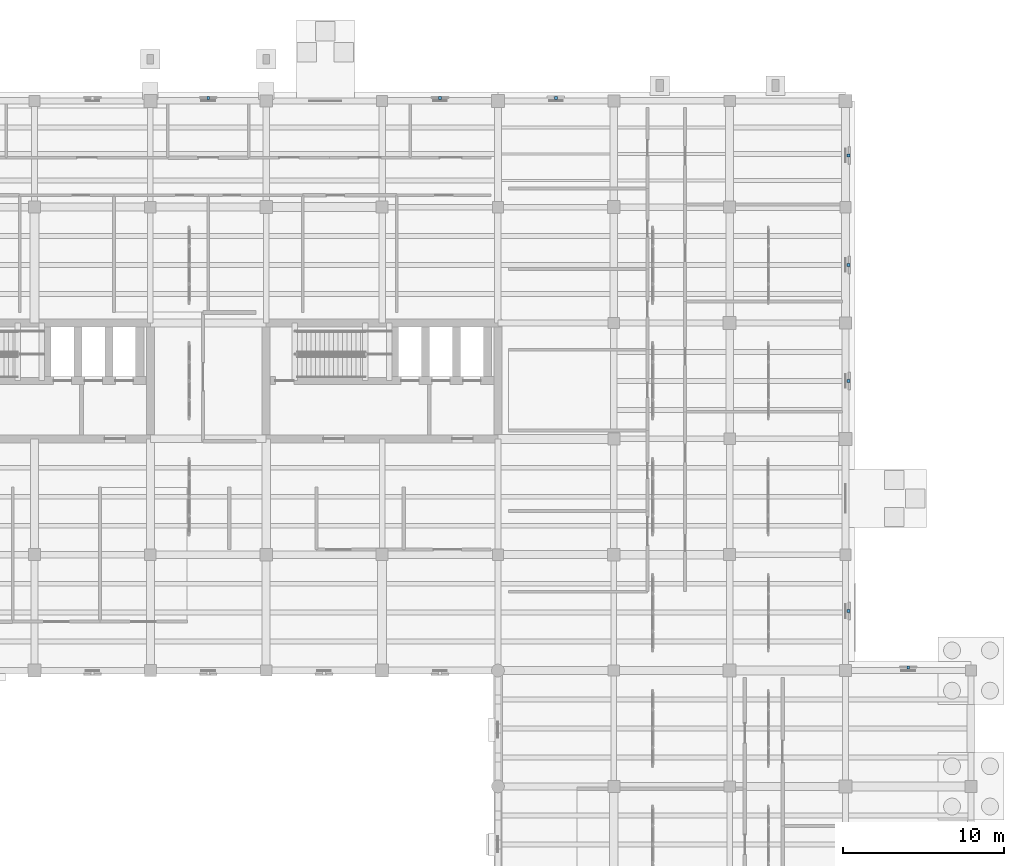
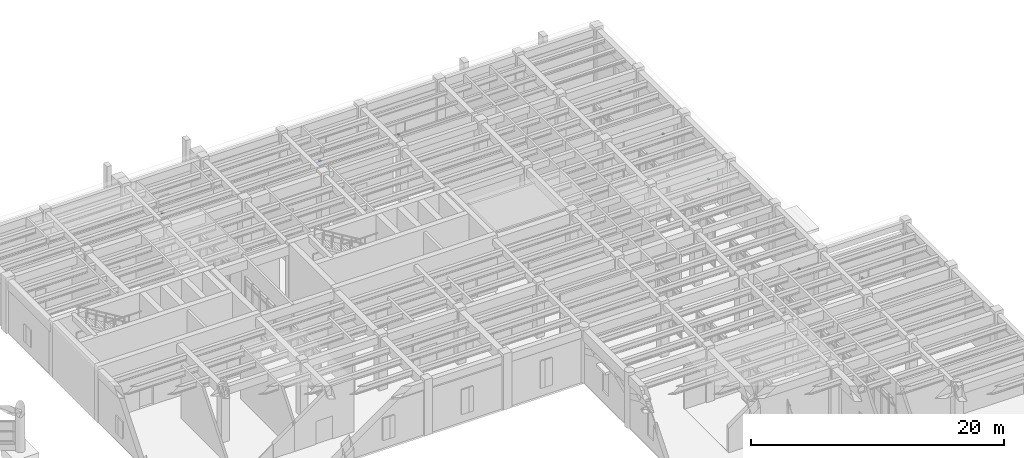
# One storey, part 89 of 100: 8 discrete accessories.
"""IFC4 building model written with IfcOpenShell, lengths in metres."""

from ifc_helpers import new_model, si_unit, direction, frame, origin, origin_2d, place, context, subcontext, project, spatial, rectangle, extrude, material, type_object, element, save


model = new_model("IFC4")

# Units and contexts
model_context = context("Model", 3, precision=1e-05, world=origin(), true_north=direction((0.0, 1.0)))
body_context = subcontext(model_context, "Body", "Model", "MODEL_VIEW")
ifc_project = project(units=[si_unit("LENGTHUNIT", "METRE"), si_unit("AREAUNIT", "SQUARE_METRE"), si_unit("VOLUMEUNIT", "CUBIC_METRE"), si_unit("PLANEANGLEUNIT", "RADIAN"), si_unit("MASSUNIT", "GRAM", prefix="KILO")], contexts=[model_context])

# Site, building, storey
site_placement = place(None, origin())
site = spatial("IfcSite", under=ifc_project, at=site_placement, CompositionType="ELEMENT")
building_placement = place(site_placement, origin())
building = spatial("IfcBuilding", under=site, at=building_placement, Name="Mithqara Police Headquarters", CompositionType="ELEMENT")
storey_placement = place(building_placement, origin())
storey = spatial("IfcBuildingStorey", under=building, at=storey_placement, Name="L00", CompositionType="ELEMENT", Elevation=0.0)

# Discrete accessories
ifc_material = material(Name="Steel S355JR", Category="steel")
discrete_accessory_type = type_object("IfcDiscreteAccessoryType", Name="SCREEN BRACKET SS", PredefinedType="BRACKET", material=ifc_material)
for number, where, z_axis, x_axis, name in (
    (1, (170.10009765625, 78.780029296875, 0.849853515625), (0.0, 0.0, 1.0), (1.0, 0.0, 0.0), "L00 Stone Screen Support Bracket 6.1"),
    (2, (166.3798828125, 82.2900390625, 0.849853515625), (0.0, 0.0, 1.0), (0.0, 1.0, 0.0), "L00 Stone Screen Support Bracket 7.1"),
    (3, (166.3798828125, 96.60009765625, 0.849853515625), (0.0, 0.0, 1.0), (0.0, 1.0, 0.0), "L00 Stone Screen Support Bracket 7.3"),
    (4, (166.3798828125, 103.800048828125, 0.849853515625), (0.0, 0.0, 1.0), (0.0, 1.0, 0.0), "L00 Stone Screen Support Bracket 7.4"),
    (5, (166.3798828125, 110.610107421875, 0.849853515625), (0.0, 0.0, 1.0), (0.0, 1.0, 0.0), "L00 Stone Screen Support Bracket 7.5"),
    (6, (148.199951171875, 114.179931640625, 0.849853515625), (0.0, 0.0, 1.0), (1.0, 0.0, 0.0), "L00 Stone Screen Support Bracket 8.1"),
    (7, (126.60009765625, 114.179931640625, 0.849853515625), (0.0, 0.0, 1.0), (1.0, 0.0, 0.0), "L00 Stone Screen Support Bracket 9.3"),
    (8, (141.0, 114.179931640625, 0.849853515625), (0.0, 0.0, 1.0), (1.0, 0.0, 0.0), "L00 Stone Screen Support Bracket 9.5"),
):
    element("IfcDiscreteAccessory", number, at=place(storey_placement, frame(where, z_axis=z_axis, x_axis=x_axis)), inside=storey, type_object=discrete_accessory_type, Name=name, PredefinedType="BRACKET", context=body_context, shape_type="SweptSolid", body=[
        extrude(rectangle(XDim=0.179931640625, YDim=0.179931640625, at=origin_2d()), origin(), (0.0, 0.0, 1.0), 0.1201171875),
    ])

save(model, "model.ifc")
